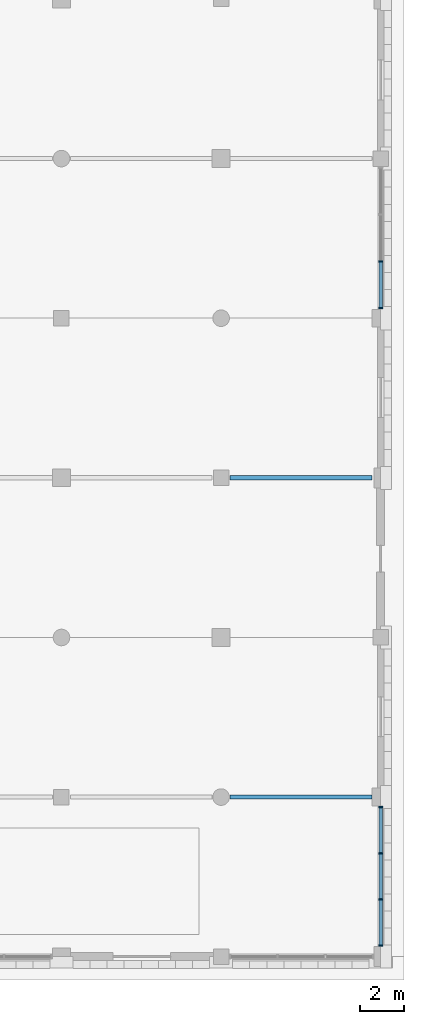
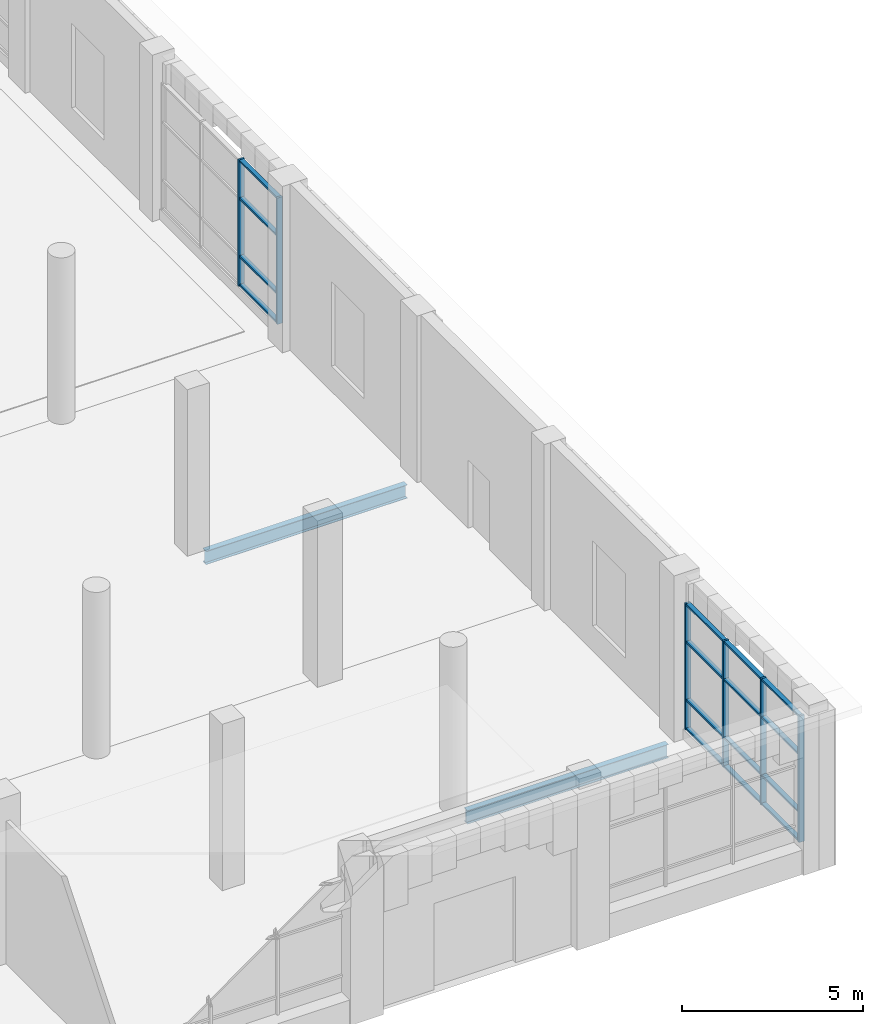
# One storey, part 29 of 85: 22 members, 2 beams, 2 elements without a shape of their own.
"""IFC4 building model written with IfcOpenShell, lengths in metres."""

import ifcopenshell
import ifcopenshell.guid

model = None  # the IFC model being written
_history = None  # IfcOwnerHistory: only IFC2X3 demands one
_inside = {}  # id of a spatial element -> (the spatial element, [elements in it])
_under = {}  # id of a project, library or spatial element -> (it, [spatial elements below it])
_declared = {}  # id of a project -> (the project, [libraries it declares])
_typed = {}  # id of a type object -> (the type object, [elements of that type])
_made_of = {}  # id of a material, layer set ... -> (it, [elements and type objects made of it])


def new_model(schema):
    """Start an empty IFC model of exactly this schema.

    Asked for "IFC4X3", IfcOpenShell would pick the latest addendum, in which some entities
    have other attributes; the version numbers below select the first issue.
    IFC2X3 requires an IfcOwnerHistory on every rooted entity: one is made here for all.
    """
    global model, _history
    if schema == "IFC4X3":
        model = ifcopenshell.file(schema_version=(4, 3, 0, 0))
    else:
        model = ifcopenshell.file(schema=schema)
    _inside.clear()
    _under.clear()
    _declared.clear()
    _typed.clear()
    _made_of.clear()
    _history = None
    if model.schema == "IFC2X3":
        org = make("IfcOrganization", Name="unknown")
        user = make(
            "IfcPersonAndOrganization",
            ThePerson=make("IfcPerson", FamilyName="unknown"),
            TheOrganization=org,
        )
        app = make(
            "IfcApplication",
            ApplicationDeveloper=org,
            Version="unknown",
            ApplicationFullName="unknown",
            ApplicationIdentifier="unknown",
        )
        _history = make(
            "IfcOwnerHistory",
            OwningUser=user,
            OwningApplication=app,
            ChangeAction="ADDED",
            CreationDate=0,
        )
    return model


def make(cls, **values):
    """One entity of the class cls with the attributes given. An attribute that is None is left unset."""
    return model.create_entity(
        cls, **{name: value for name, value in values.items() if value is not None}
    )


def rooted(cls, **values):
    """An entity with a GlobalId (a new one), such as an element, a storey or a relation."""
    return make(cls, GlobalId=ifcopenshell.guid.new(), OwnerHistory=_history, **values)


def si_unit(unit_type, name, prefix=None):
    """IfcSIUnit, for example si_unit("LENGTHUNIT", "METRE", prefix="MILLI")."""
    return make("IfcSIUnit", UnitType=unit_type, Prefix=prefix, Name=name)


def assignment(units):
    """IfcUnitAssignment: the units of a project."""
    return None if units is None else make("IfcUnitAssignment", Units=units)


def point(xyz):
    """IfcCartesianPoint."""
    return None if xyz is None else make("IfcCartesianPoint", Coordinates=xyz)


def direction(xyz):
    """IfcDirection."""
    return None if xyz is None else make("IfcDirection", DirectionRatios=xyz)


def frame(location, z_axis=None, x_axis=None):
    """IfcAxis2Placement3D, a coordinate frame: its origin and axes. An axis left out is left unset."""
    return make(
        "IfcAxis2Placement3D",
        Location=point(location),
        Axis=direction(z_axis),
        RefDirection=direction(x_axis),
    )


def frame_2d(location, x_axis=None):
    """IfcAxis2Placement2D, a coordinate frame in the plane: its origin and x axis."""
    return make(
        "IfcAxis2Placement2D", Location=point(location), RefDirection=direction(x_axis)
    )


def origin():
    """The frame at (0, 0, 0) with its axes left unset."""
    return frame((0.0, 0.0, 0.0))


def origin_2d():
    """The frame at (0, 0) in the plane with its x axis left unset."""
    return frame_2d((0.0, 0.0))


def place(relative_to, where):
    """IfcLocalPlacement: puts the frame where relative to a parent placement (None: the world)."""
    return make(
        "IfcLocalPlacement", PlacementRelTo=relative_to, RelativePlacement=where
    )


def context(
    kind, dimensions, precision=None, world=None, true_north=None, identifier=None
):
    """IfcGeometricRepresentationContext, for example the 3D "Model" context."""
    return make(
        "IfcGeometricRepresentationContext",
        ContextIdentifier=identifier,
        ContextType=kind,
        CoordinateSpaceDimension=dimensions,
        Precision=precision,
        WorldCoordinateSystem=world,
        TrueNorth=true_north,
    )


def subcontext(parent, identifier, kind, view, scale=None):
    """IfcGeometricRepresentationSubContext, for example "Body" below "Model"."""
    return make(
        "IfcGeometricRepresentationSubContext",
        ContextIdentifier=identifier,
        ContextType=kind,
        ParentContext=parent,
        TargetScale=scale,
        TargetView=view,
    )


def project(units=None, contexts=None):
    """IfcProject with its units and contexts."""
    return rooted(
        "IfcProject",
        Name="project",
        RepresentationContexts=contexts,
        UnitsInContext=assignment(units),
    )


def spatial(cls, under=None, at=None, **own):
    """A site, building, storey or space (cls), placed at a placement, below another one or the project."""
    s = rooted(cls, ObjectPlacement=at, **own)
    if under is not None:
        _under.setdefault(under.id(), (under, []))[1].append(s)
    return s


def profile(cls, at=None, kind="AREA", **sizes):
    """A parametric profile (cls). Its sizes go by their IFC names, for example OverallWidth=200.0."""
    return make(cls, ProfileType=kind, Position=at, **sizes)


def rectangle(**sizes):
    """IfcRectangleProfileDef."""
    return profile("IfcRectangleProfileDef", **sizes)


def i_section(**sizes):
    """IfcIShapeProfileDef."""
    return profile("IfcIShapeProfileDef", **sizes)


def extrude(swept, where, along, depth):
    """IfcExtrudedAreaSolid: the profile swept, set in the frame where, extruded along a direction by depth."""
    return make(
        "IfcExtrudedAreaSolid",
        SweptArea=swept,
        Position=where,
        ExtrudedDirection=direction(along),
        Depth=depth,
    )


def shape(context_of_items, identifier, shape_type, items):
    """IfcShapeRepresentation: the items that make up one representation, for example the "Body"."""
    return make(
        "IfcShapeRepresentation",
        ContextOfItems=context_of_items,
        RepresentationIdentifier=identifier,
        RepresentationType=shape_type,
        Items=items,
    )


def material(Name=None, Category=None):
    """IfcMaterial."""
    return make("IfcMaterial", Name=Name, Category=Category)


def material_profile(
    of_material, cross_section, Name=None, Category=None, Priority=None
):
    """IfcMaterialProfile: a cross section and its material."""
    return make(
        "IfcMaterialProfile",
        Name=Name,
        Material=of_material,
        Profile=cross_section,
        Priority=Priority,
        Category=Category,
    )


def profile_set(profiles, Name=None, composite=None):
    """IfcMaterialProfileSet."""
    return make(
        "IfcMaterialProfileSet",
        Name=Name,
        MaterialProfiles=profiles,
        CompositeProfile=composite,
    )


def made_of(thing, what):
    """Note that an element or type object is made of a material, layer set ...; save() writes the relation."""
    if what is not None:
        _made_of.setdefault(what.id(), (what, []))[1].append(thing)
    return thing


def type_object(cls, material=None, **own):
    """A type object (cls), such as IfcWallType, which elements share."""
    return made_of(rooted(cls, **own), material)


def element(
    cls,
    number,
    at=None,
    inside=None,
    cuts=None,
    type_object=None,
    material=None,
    context=None,
    identifier="Body",
    shape_type=None,
    held_by="IfcProductDefinitionShape",
    body=None,
    shapes=None,
    **own,
):
    """One element of the class cls, such as IfcWall. Its Tag is "e" and its number.

    at: its placement. inside: the storey or other place that contains it. cuts: it is an
    opening in that element (IfcRelVoidsElement). A single representation is given by context,
    identifier, shape_type and body (its items); several are given by shapes. held_by: the class
    of the entity that holds the representations. save() writes the other relations.
    """
    e = rooted(cls, Tag="e%d" % number, ObjectPlacement=at, **own)
    if body is not None:
        shapes = [shape(context, identifier, shape_type, body)]
    if shapes is not None:
        e.Representation = make(held_by, Representations=shapes)
    if inside is not None:
        _inside.setdefault(inside.id(), (inside, []))[1].append(e)
    if cuts is not None:
        rooted(
            "IfcRelVoidsElement", RelatingBuildingElement=cuts, RelatedOpeningElement=e
        )
    if type_object is not None:
        _typed.setdefault(type_object.id(), (type_object, []))[1].append(e)
    return made_of(e, material)


def aggregate(whole, parts):
    """IfcRelAggregates: a whole, such as a stair, and the parts it consists of."""
    return rooted("IfcRelAggregates", RelatingObject=whole, RelatedObjects=parts)


def save(model, path):
    """Write the relations noted so far, then the file.

    IfcRelAggregates (storeys below a building ...), IfcRelContainedInSpatialStructure (elements
    in a storey), IfcRelDefinesByType, IfcRelAssociatesMaterial and IfcRelDeclares: one each for
    every whole, place, type object, material and project.
    """
    for whole, parts in _under.values():
        aggregate(whole, parts)
    for where, things in _inside.values():
        rooted(
            "IfcRelContainedInSpatialStructure",
            RelatedElements=things,
            RelatingStructure=where,
        )
    for kind, things in _typed.values():
        rooted("IfcRelDefinesByType", RelatedObjects=things, RelatingType=kind)
    for what, things in _made_of.values():
        rooted("IfcRelAssociatesMaterial", RelatedObjects=things, RelatingMaterial=what)
    for by, libraries in _declared.values():
        rooted("IfcRelDeclares", RelatingContext=by, RelatedDefinitions=libraries)
    model.write(path)


model = new_model("IFC4")

# Units and contexts
model_context = context("Model", 3, precision=1e-05, world=origin(), true_north=direction((0.0, 1.0)))
body_context = subcontext(model_context, "Body", "Model", "MODEL_VIEW")
ifc_project = project(units=[si_unit("LENGTHUNIT", "METRE"), si_unit("AREAUNIT", "SQUARE_METRE"), si_unit("VOLUMEUNIT", "CUBIC_METRE"), si_unit("PLANEANGLEUNIT", "RADIAN"), si_unit("MASSUNIT", "GRAM", prefix="KILO")], contexts=[model_context])

# Site, building, storey
site_placement = place(None, origin())
site = spatial("IfcSite", under=ifc_project, at=site_placement, CompositionType="ELEMENT")
building_placement = place(site_placement, origin())
building = spatial("IfcBuilding", under=site, at=building_placement, Name="Sardonyx Promenade Sports Hall", CompositionType="ELEMENT")
storey_placement = place(building_placement, origin())
storey = spatial("IfcBuildingStorey", under=building, at=storey_placement, Name="L00", CompositionType="ELEMENT", Elevation=0.0)

# Beams
ifc_material_1 = material(Name="Steel S355JR", Category="steel")
ifc_material_profile_1 = material_profile(ifc_material_1, i_section(OverallWidth=0.18994140625, OverallDepth=0.453369140625, WebThickness=0.008544921875, FlangeThickness=0.0126953125, at=origin_2d()))
ifc_profile_set_1 = profile_set([ifc_material_profile_1], Name="Steel S355JR")
beam_type = type_object("IfcBeamType", Name="Bm_Girder_UB457", PredefinedType="BEAM", material=ifc_profile_set_1)
for number, where, z_axis, x_axis, name in (
    (1, (158.800048828125, 7.199951171875, -0.476806640625), (1.0, 0.0, 0.0), (0.0, 1.0, 0.0), "Beam SB01 L00 #76"),
    (2, (158.800048828125, 21.60009765625, -0.476806640625), (1.0, 0.0, 0.0), (0.0, 1.0, 0.0), "Beam SB01 L00 #99"),
):
    element("IfcBeam", number, at=place(storey_placement, frame(where, z_axis=z_axis, x_axis=x_axis)), inside=storey, type_object=beam_type, Name=name, PredefinedType="BEAM", context=body_context, shape_type="SweptSolid", body=[
        extrude(i_section(OverallWidth=0.18994140625, OverallDepth=0.453369140625, WebThickness=0.008544921875, FlangeThickness=0.0126953125, at=origin_2d()), origin(), (0.0, 0.0, 1.0), 6.39990234375),
    ])

# Curtain wall, members
ifc_material_2 = material(Name="Aluminium 6063-T6", Category="aluminium")
curtain_wall_type = type_object("IfcCurtainWallType", Name="CW_EastWing_L00", PredefinedType="USERDEFINED", material=ifc_material_2)
curtain_wall_1_placement = place(storey_placement, origin())
curtain_wall_1 = element("IfcCurtainWall", 3, at=curtain_wall_1_placement, inside=storey, type_object=curtain_wall_type, Name="Curtain wall CW07 cw:L00:050", ObjectType="CURTAIN WALL", PredefinedType="USERDEFINED")
ifc_material_3 = material(Name="Aluminium 6063-T6", Category="aluminium")
ifc_material_profile_2 = material_profile(ifc_material_3, rectangle(XDim=0.06494140625, YDim=0.175048828125, at=origin_2d()))
ifc_profile_set_2 = profile_set([ifc_material_profile_2], Name="Aluminium 6063-T6")
member_type_1 = type_object("IfcMemberType", Name="CW_Mull_175", PredefinedType="MULLION", material=ifc_profile_set_2)
member_1_placement = place(storey_placement, frame((165.60009765625, 31.367431640625, 0.35009765625), z_axis=(0.0, 0.0, 1.0), x_axis=(0.0, -1.0, 0.0)))
member_1 = element("IfcMember", 4, at=member_1_placement, type_object=member_type_1, Name="Mullion CM02 cw:L00:050 #3", PredefinedType="MULLION", context=body_context, shape_type="SweptSolid", body=[
    extrude(rectangle(XDim=0.06494140625, YDim=0.175048828125, at=origin_2d()), origin(), (0.0, 0.0, 1.0), 4.25),
])
member_2_placement = place(storey_placement, frame((165.60009765625, 29.25244140625, 0.35009765625), z_axis=(0.0, 0.0, 1.0), x_axis=(0.0, -1.0, 0.0)))
member_2 = element("IfcMember", 5, at=member_2_placement, type_object=member_type_1, Name="Mullion CM02 cw:L00:050 #4", PredefinedType="MULLION", context=body_context, shape_type="SweptSolid", body=[
    extrude(rectangle(XDim=0.06494140625, YDim=0.175048828125, at=origin_2d()), origin(), (0.0, 0.0, 1.0), 4.25),
])

curtain_wall_2_placement = place(storey_placement, origin())
curtain_wall_2 = element("IfcCurtainWall", 6, at=curtain_wall_2_placement, inside=storey, type_object=curtain_wall_type, Name="Curtain wall CW07 cw:L00:051", ObjectType="CURTAIN WALL", PredefinedType="USERDEFINED")
member_3_placement = place(storey_placement, frame((165.60009765625, 6.74755859375, 0.35009765625), z_axis=(0.0, 0.0, 1.0), x_axis=(0.0, -1.0, 0.0)))
member_3 = element("IfcMember", 7, at=member_3_placement, type_object=member_type_1, Name="Mullion CM02 cw:L00:051 #1", PredefinedType="MULLION", context=body_context, shape_type="SweptSolid", body=[
    extrude(rectangle(XDim=0.06494140625, YDim=0.175048828125, at=origin_2d()), origin(), (0.0, 0.0, 1.0), 4.25),
])
member_4_placement = place(storey_placement, frame((165.60009765625, 4.665771484375, 0.35009765625), z_axis=(0.0, 0.0, 1.0), x_axis=(0.0, -1.0, 0.0)))
member_4 = element("IfcMember", 8, at=member_4_placement, type_object=member_type_1, Name="Mullion CM02 cw:L00:051 #2", PredefinedType="MULLION", context=body_context, shape_type="SweptSolid", body=[
    extrude(rectangle(XDim=0.06494140625, YDim=0.175048828125, at=origin_2d()), origin(), (0.0, 0.0, 1.0), 4.25),
])
member_5_placement = place(storey_placement, frame((165.60009765625, 2.584228515625, 0.35009765625), z_axis=(0.0, 0.0, 1.0), x_axis=(0.0, -1.0, 0.0)))
member_5 = element("IfcMember", 9, at=member_5_placement, type_object=member_type_1, Name="Mullion CM02 cw:L00:051 #3", PredefinedType="MULLION", context=body_context, shape_type="SweptSolid", body=[
    extrude(rectangle(XDim=0.06494140625, YDim=0.175048828125, at=origin_2d()), origin(), (0.0, 0.0, 1.0), 4.25),
])
member_6_placement = place(storey_placement, frame((165.60009765625, 0.50244140625, 0.35009765625), z_axis=(0.0, 0.0, 1.0), x_axis=(0.0, -1.0, 0.0)))
member_6 = element("IfcMember", 10, at=member_6_placement, type_object=member_type_1, Name="Mullion CM02 cw:L00:051 #4", PredefinedType="MULLION", context=body_context, shape_type="SweptSolid", body=[
    extrude(rectangle(XDim=0.06494140625, YDim=0.175048828125, at=origin_2d()), origin(), (0.0, 0.0, 1.0), 4.25),
])

# Member
ifc_material_4 = material(Name="Aluminium 6063-T6", Category="aluminium")
ifc_material_profile_3 = material_profile(ifc_material_4, rectangle(XDim=0.06494140625, YDim=0.139892578125, at=origin_2d()))
ifc_profile_set_3 = profile_set([ifc_material_profile_3], Name="Aluminium 6063-T6")
member_type_2 = type_object("IfcMemberType", Name="CW_Tran_140", PredefinedType="USERDEFINED", material=ifc_profile_set_3)
member_7_placement = place(storey_placement, frame((165.60009765625, 31.3349609375, 0.382568359375), z_axis=(0.0, -1.0, 0.0), x_axis=(0.0, 0.0, 1.0)))
member_7 = element("IfcMember", 11, at=member_7_placement, type_object=member_type_2, Name="Transom CT02 cw:L00:050 #9", ObjectType="TRANSOM", PredefinedType="USERDEFINED", context=body_context, shape_type="SweptSolid", body=[
    extrude(rectangle(XDim=0.06494140625, YDim=0.139892578125, at=origin_2d()), origin(), (0.0, 0.0, 1.0), 2.050048828125),
])

member_8_placement = place(storey_placement, frame((165.60009765625, 31.3349609375, 1.35009765625), z_axis=(0.0, -1.0, 0.0), x_axis=(0.0, 0.0, 1.0)))
member_8 = element("IfcMember", 12, at=member_8_placement, type_object=member_type_2, Name="Transom CT02 cw:L00:050 #10", ObjectType="TRANSOM", PredefinedType="USERDEFINED", context=body_context, shape_type="SweptSolid", body=[
    extrude(rectangle(XDim=0.06494140625, YDim=0.139892578125, at=origin_2d()), origin(), (0.0, 0.0, 1.0), 2.050048828125),
])

member_9_placement = place(storey_placement, frame((165.60009765625, 31.3349609375, 3.300048828125), z_axis=(0.0, -1.0, 0.0), x_axis=(0.0, 0.0, 1.0)))
member_9 = element("IfcMember", 13, at=member_9_placement, type_object=member_type_2, Name="Transom CT02 cw:L00:050 #11", ObjectType="TRANSOM", PredefinedType="USERDEFINED", context=body_context, shape_type="SweptSolid", body=[
    extrude(rectangle(XDim=0.06494140625, YDim=0.139892578125, at=origin_2d()), origin(), (0.0, 0.0, 1.0), 2.050048828125),
])

member_10_placement = place(storey_placement, frame((165.60009765625, 31.3349609375, 4.5673828125), z_axis=(0.0, -1.0, 0.0), x_axis=(0.0, 0.0, 1.0)))
member_10 = element("IfcMember", 14, at=member_10_placement, type_object=member_type_2, Name="Transom CT02 cw:L00:050 #12", ObjectType="TRANSOM", PredefinedType="USERDEFINED", context=body_context, shape_type="SweptSolid", body=[
    extrude(rectangle(XDim=0.06494140625, YDim=0.139892578125, at=origin_2d()), origin(), (0.0, 0.0, 1.0), 2.050048828125),
])

aggregate(curtain_wall_1, [member_1, member_2, member_7, member_8, member_9, member_10])

member_11_placement = place(storey_placement, frame((165.60009765625, 6.715087890625, 0.382568359375), z_axis=(0.0, -1.0, 0.0), x_axis=(0.0, 0.0, 1.0)))
member_11 = element("IfcMember", 15, at=member_11_placement, type_object=member_type_2, Name="Transom CT02 cw:L00:051 #1", ObjectType="TRANSOM", PredefinedType="USERDEFINED", context=body_context, shape_type="SweptSolid", body=[
    extrude(rectangle(XDim=0.06494140625, YDim=0.139892578125, at=origin_2d()), origin(), (0.0, 0.0, 1.0), 2.016845703125),
])

member_12_placement = place(storey_placement, frame((165.60009765625, 6.715087890625, 1.35009765625), z_axis=(0.0, -1.0, 0.0), x_axis=(0.0, 0.0, 1.0)))
member_12 = element("IfcMember", 16, at=member_12_placement, type_object=member_type_2, Name="Transom CT02 cw:L00:051 #2", ObjectType="TRANSOM", PredefinedType="USERDEFINED", context=body_context, shape_type="SweptSolid", body=[
    extrude(rectangle(XDim=0.06494140625, YDim=0.139892578125, at=origin_2d()), origin(), (0.0, 0.0, 1.0), 2.016845703125),
])

member_13_placement = place(storey_placement, frame((165.60009765625, 6.715087890625, 3.300048828125), z_axis=(0.0, -1.0, 0.0), x_axis=(0.0, 0.0, 1.0)))
member_13 = element("IfcMember", 17, at=member_13_placement, type_object=member_type_2, Name="Transom CT02 cw:L00:051 #3", ObjectType="TRANSOM", PredefinedType="USERDEFINED", context=body_context, shape_type="SweptSolid", body=[
    extrude(rectangle(XDim=0.06494140625, YDim=0.139892578125, at=origin_2d()), origin(), (0.0, 0.0, 1.0), 2.016845703125),
])

member_14_placement = place(storey_placement, frame((165.60009765625, 6.715087890625, 4.5673828125), z_axis=(0.0, -1.0, 0.0), x_axis=(0.0, 0.0, 1.0)))
member_14 = element("IfcMember", 18, at=member_14_placement, type_object=member_type_2, Name="Transom CT02 cw:L00:051 #4", ObjectType="TRANSOM", PredefinedType="USERDEFINED", context=body_context, shape_type="SweptSolid", body=[
    extrude(rectangle(XDim=0.06494140625, YDim=0.139892578125, at=origin_2d()), origin(), (0.0, 0.0, 1.0), 2.016845703125),
])

member_15_placement = place(storey_placement, frame((165.60009765625, 4.63330078125, 0.382568359375), z_axis=(0.0, -1.0, 0.0), x_axis=(0.0, 0.0, 1.0)))
member_15 = element("IfcMember", 19, at=member_15_placement, type_object=member_type_2, Name="Transom CT02 cw:L00:051 #5", ObjectType="TRANSOM", PredefinedType="USERDEFINED", context=body_context, shape_type="SweptSolid", body=[
    extrude(rectangle(XDim=0.06494140625, YDim=0.139892578125, at=origin_2d()), origin(), (0.0, 0.0, 1.0), 2.0166015625),
])

member_16_placement = place(storey_placement, frame((165.60009765625, 4.63330078125, 1.35009765625), z_axis=(0.0, -1.0, 0.0), x_axis=(0.0, 0.0, 1.0)))
member_16 = element("IfcMember", 20, at=member_16_placement, type_object=member_type_2, Name="Transom CT02 cw:L00:051 #6", ObjectType="TRANSOM", PredefinedType="USERDEFINED", context=body_context, shape_type="SweptSolid", body=[
    extrude(rectangle(XDim=0.06494140625, YDim=0.139892578125, at=origin_2d()), origin(), (0.0, 0.0, 1.0), 2.0166015625),
])

member_17_placement = place(storey_placement, frame((165.60009765625, 4.63330078125, 3.300048828125), z_axis=(0.0, -1.0, 0.0), x_axis=(0.0, 0.0, 1.0)))
member_17 = element("IfcMember", 21, at=member_17_placement, type_object=member_type_2, Name="Transom CT02 cw:L00:051 #7", ObjectType="TRANSOM", PredefinedType="USERDEFINED", context=body_context, shape_type="SweptSolid", body=[
    extrude(rectangle(XDim=0.06494140625, YDim=0.139892578125, at=origin_2d()), origin(), (0.0, 0.0, 1.0), 2.0166015625),
])

member_18_placement = place(storey_placement, frame((165.60009765625, 4.63330078125, 4.5673828125), z_axis=(0.0, -1.0, 0.0), x_axis=(0.0, 0.0, 1.0)))
member_18 = element("IfcMember", 22, at=member_18_placement, type_object=member_type_2, Name="Transom CT02 cw:L00:051 #8", ObjectType="TRANSOM", PredefinedType="USERDEFINED", context=body_context, shape_type="SweptSolid", body=[
    extrude(rectangle(XDim=0.06494140625, YDim=0.139892578125, at=origin_2d()), origin(), (0.0, 0.0, 1.0), 2.0166015625),
])

member_19_placement = place(storey_placement, frame((165.60009765625, 2.5517578125, 0.382568359375), z_axis=(0.0, -1.0, 0.0), x_axis=(0.0, 0.0, 1.0)))
member_19 = element("IfcMember", 23, at=member_19_placement, type_object=member_type_2, Name="Transom CT02 cw:L00:051 #9", ObjectType="TRANSOM", PredefinedType="USERDEFINED", context=body_context, shape_type="SweptSolid", body=[
    extrude(rectangle(XDim=0.06494140625, YDim=0.139892578125, at=origin_2d()), origin(), (0.0, 0.0, 1.0), 2.016845703125),
])

member_20_placement = place(storey_placement, frame((165.60009765625, 2.5517578125, 1.35009765625), z_axis=(0.0, -1.0, 0.0), x_axis=(0.0, 0.0, 1.0)))
member_20 = element("IfcMember", 24, at=member_20_placement, type_object=member_type_2, Name="Transom CT02 cw:L00:051 #10", ObjectType="TRANSOM", PredefinedType="USERDEFINED", context=body_context, shape_type="SweptSolid", body=[
    extrude(rectangle(XDim=0.06494140625, YDim=0.139892578125, at=origin_2d()), origin(), (0.0, 0.0, 1.0), 2.016845703125),
])

member_21_placement = place(storey_placement, frame((165.60009765625, 2.5517578125, 3.300048828125), z_axis=(0.0, -1.0, 0.0), x_axis=(0.0, 0.0, 1.0)))
member_21 = element("IfcMember", 25, at=member_21_placement, type_object=member_type_2, Name="Transom CT02 cw:L00:051 #11", ObjectType="TRANSOM", PredefinedType="USERDEFINED", context=body_context, shape_type="SweptSolid", body=[
    extrude(rectangle(XDim=0.06494140625, YDim=0.139892578125, at=origin_2d()), origin(), (0.0, 0.0, 1.0), 2.016845703125),
])

member_22_placement = place(storey_placement, frame((165.60009765625, 2.5517578125, 4.5673828125), z_axis=(0.0, -1.0, 0.0), x_axis=(0.0, 0.0, 1.0)))
member_22 = element("IfcMember", 26, at=member_22_placement, type_object=member_type_2, Name="Transom CT02 cw:L00:051 #12", ObjectType="TRANSOM", PredefinedType="USERDEFINED", context=body_context, shape_type="SweptSolid", body=[
    extrude(rectangle(XDim=0.06494140625, YDim=0.139892578125, at=origin_2d()), origin(), (0.0, 0.0, 1.0), 2.016845703125),
])

aggregate(curtain_wall_2, [member_3, member_4, member_5, member_6, member_11, member_12, member_13, member_14, member_15, member_16, member_17, member_18, member_19, member_20, member_21, member_22])

save(model, "model.ifc")
